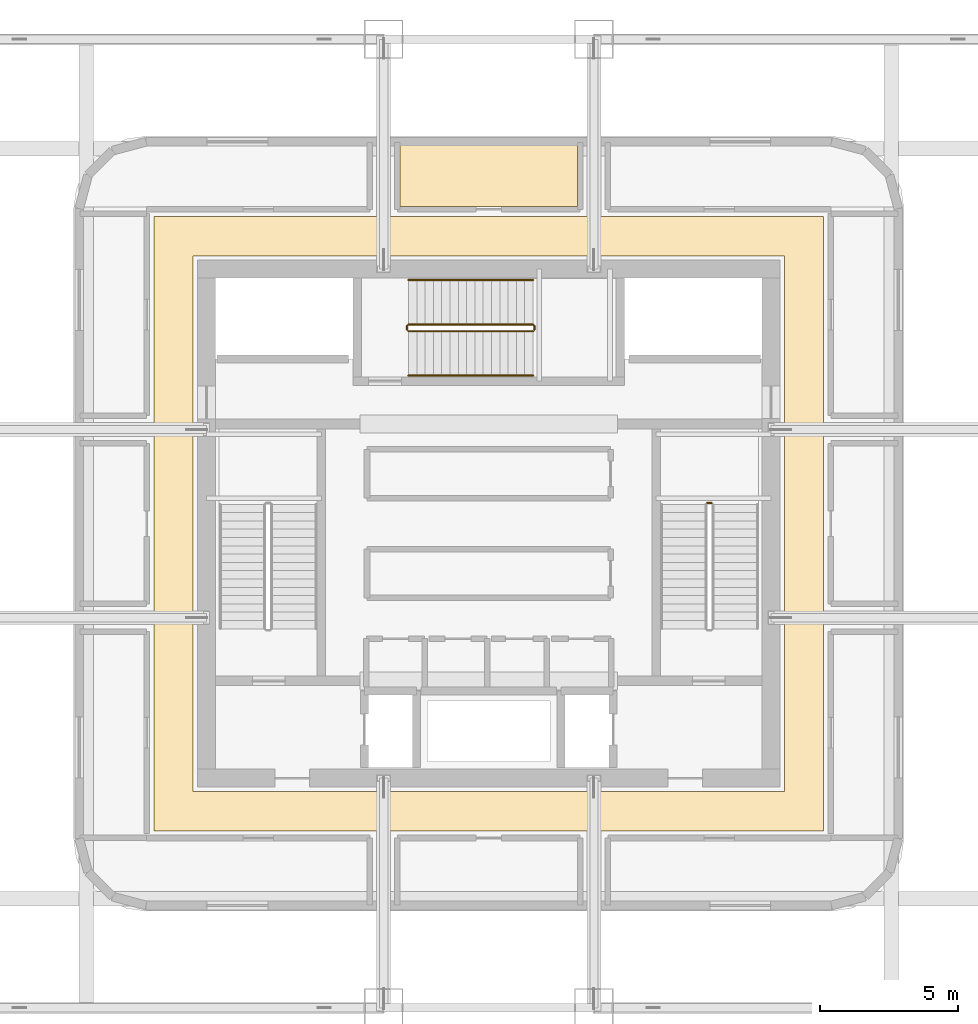
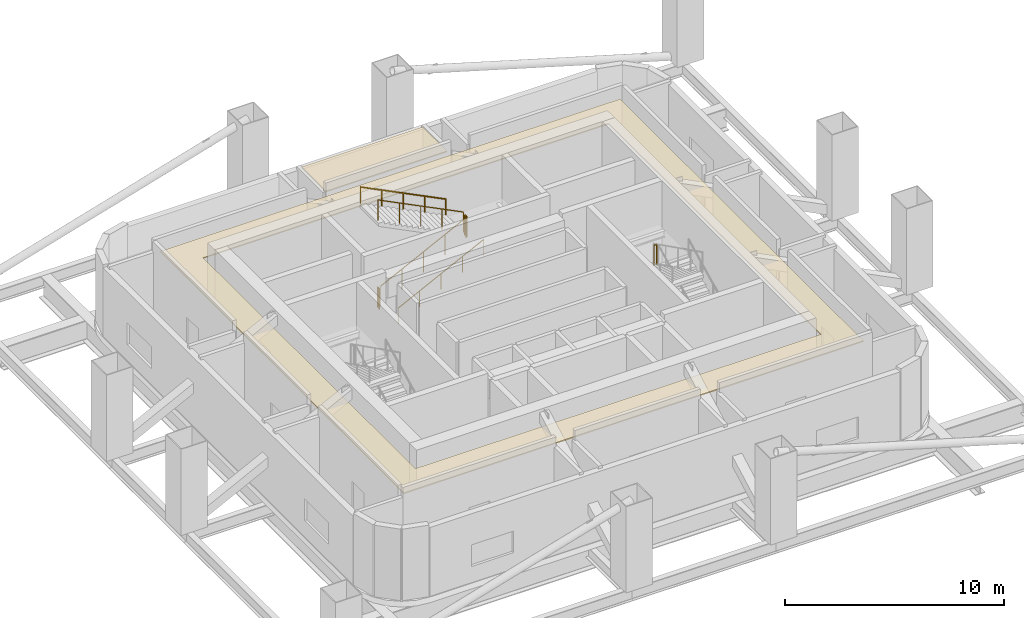
# One storey, part 8 of 9: 7 railings, 2 coverings.
"""IFC4 building model written with IfcOpenShell, lengths in metres."""

from ifc_helpers import new_model, si_unit, direction, frame, origin, origin_2d, place, context, subcontext, project, spatial, polyline, circle, outline, extrude, material, layer, layer_set, type_object, element, save


model = new_model("IFC4")

# Units and contexts
model_context = context("Model", 3, precision=1e-05, world=origin(), true_north=direction((0.0, 1.0)))
body_context = subcontext(model_context, "Body", "Model", "MODEL_VIEW")
ifc_project = project(units=[si_unit("LENGTHUNIT", "METRE"), si_unit("AREAUNIT", "SQUARE_METRE"), si_unit("VOLUMEUNIT", "CUBIC_METRE"), si_unit("PLANEANGLEUNIT", "RADIAN"), si_unit("MASSUNIT", "GRAM", prefix="KILO")], contexts=[model_context])

# Site, building, storey
site_placement = place(None, origin())
site = spatial("IfcSite", under=ifc_project, at=site_placement, CompositionType="ELEMENT")
building_placement = place(site_placement, origin())
building = spatial("IfcBuilding", under=site, at=building_placement, Name="Punatoya Terracotta Tower", CompositionType="ELEMENT")
storey_placement = place(building_placement, frame((0.0, 0.0, 130.199951171875)))
storey = spatial("IfcBuildingStorey", under=building, at=storey_placement, Name="L30", CompositionType="ELEMENT", Elevation=130.199951171875)

# Coverings
ifc_material_1 = material(Name="Acoustic Mineral Fibre Ceiling")
ifc_layer = layer(ifc_material_1, 0.06005859375)
ifc_layer_set = layer_set([ifc_layer], Name="Acoustic Mineral Fibre Ceiling")
covering_type = type_object("IfcCoveringType", Name="COV-CEIL-60", PredefinedType="CEILING", material=ifc_layer_set)
covering_1_placement = place(storey_placement, frame((0.0, 0.0, 3.8701171875)))
element("IfcCovering", 1, at=covering_1_placement, inside=storey, type_object=covering_type, Name="L30 Plant and Pressurized Refuge Ring Corridor Acoustic Ceiling", PredefinedType="CEILING", context=body_context, shape_type="SweptSolid", body=[
    extrude(outline(polyline([(-12.10009765625, 11.10009765625), (-12.10009765625, -11.10009765625), (12.10009765625, -11.10009765625), (12.10009765625, 11.10009765625), (-12.10009765625, 11.10009765625)]), holes=[polyline([(-10.679931640625, 9.679931640625), (10.679931640625, 9.679931640625), (10.679931640625, -9.679931640625), (-10.679931640625, -9.679931640625), (-10.679931640625, 9.679931640625)])]), origin(), (0.0, 0.0, 1.0), 0.059814453125),
])
covering_2_placement = place(storey_placement, frame((0.0, 0.0, 3.8701171875)))
element("IfcCovering", 2, at=covering_2_placement, inside=storey, type_object=covering_type, Name="L30 Designated Pressurized Refuge Area North (Central Bay) Acoustic Ceiling", PredefinedType="CEILING", context=body_context, shape_type="SweptSolid", body=[
    extrude(outline(polyline([(3.199951171875, 11.4599609375), (3.199951171875, 13.679931640625), (-3.199951171875, 13.679931640625), (-3.199951171875, 11.4599609375), (3.199951171875, 11.4599609375)])), origin(), (0.0, 0.0, 1.0), 0.059814453125),
])

# Railings
ifc_material_2 = material(Name="Steel S355", Category="steel")
railing_type_1 = type_object("IfcRailingType", Name="RLG-GRD-1150", PredefinedType="GUARDRAIL", material=ifc_material_2)
railing_1_placement = place(storey_placement, frame((8.050048828125, 0.75, 2.400146484375)))
element("IfcRailing", 3, at=railing_1_placement, inside=storey, type_object=railing_type_1, Name="L30 ST-2 stair guard 2", PredefinedType="GUARDRAIL", context=body_context, shape_type="SweptSolid", body=[
    extrude(circle(Radius=0.02392578125, at=origin_2d()), frame((0.0, 0.0, 1.1259765625), z_axis=(-1.0, 0.0, 0.0), x_axis=(0.0, -1.0, 0.0)), (0.0, 0.0, 1.0), 0.150146484375),
    extrude(circle(Radius=0.02099609375, at=origin_2d()), origin(), (0.0, 0.0, 1.0), 1.101806640625),
    extrude(circle(Radius=0.02099609375, at=origin_2d()), frame((-0.150146484375, 0.0, 0.0)), (0.0, 0.0, 1.0), 1.101806640625),
])
railing_2_placement = place(storey_placement, frame((-2.89990234375, 6.949951171875, 0.150146484375)))
element("IfcRailing", 4, at=railing_2_placement, inside=storey, type_object=railing_type_1, Name="L30 ST-3 stair guard 1", PredefinedType="GUARDRAIL", context=body_context, shape_type="SweptSolid", body=[
    extrude(circle(Radius=0.02392578125, at=origin_2d()), frame((0.0, 0.0, 1.1259765625), z_axis=(0.894427191, 0.0, 0.4472135955), x_axis=(0.0, 1.0, 0.0)), (0.0, 0.0, 1.0), 5.03125),
    extrude(circle(Radius=0.02099609375, at=origin_2d()), origin(), (0.0, 0.0, 1.0), 1.101806640625),
    extrude(circle(Radius=0.02099609375, at=origin_2d()), frame((1.125, 0.0, 0.5625)), (0.0, 0.0, 1.0), 1.101806640625),
    extrude(circle(Radius=0.02099609375, at=origin_2d()), frame((2.25, 0.0, 1.125)), (0.0, 0.0, 1.0), 1.101806640625),
    extrude(circle(Radius=0.02099609375, at=origin_2d()), frame((3.375, 0.0, 1.6875)), (0.0, 0.0, 1.0), 1.101806640625),
    extrude(circle(Radius=0.02099609375, at=origin_2d()), frame((4.5, 0.0, 2.25)), (0.0, 0.0, 1.0), 1.101806640625),
])
railing_3_placement = place(storey_placement, frame((1.64990234375, 7.0, 2.400146484375)))
element("IfcRailing", 5, at=railing_3_placement, inside=storey, type_object=railing_type_1, Name="L30 ST-3 stair guard 2", PredefinedType="GUARDRAIL", context=body_context, shape_type="SweptSolid", body=[
    extrude(circle(Radius=0.02392578125, at=origin_2d()), frame((0.0, 0.0, 1.1259765625), z_axis=(0.0, 1.0, 0.0), x_axis=(-1.0, 0.0, 0.0)), (0.0, 0.0, 1.0), 0.14990234375),
    extrude(circle(Radius=0.02099609375, at=origin_2d()), origin(), (0.0, 0.0, 1.0), 1.101806640625),
    extrude(circle(Radius=0.02099609375, at=origin_2d()), frame((0.0, 0.14990234375, 0.0)), (0.0, 0.0, 1.0), 1.101806640625),
])
railing_4_placement = place(storey_placement, frame((1.60009765625, 7.199951171875, 2.550048828125)))
element("IfcRailing", 6, at=railing_4_placement, inside=storey, type_object=railing_type_1, Name="L30 ST-3 stair guard 3", PredefinedType="GUARDRAIL", context=body_context, shape_type="SweptSolid", body=[
    extrude(circle(Radius=0.02392578125, at=origin_2d()), frame((0.0, 0.0, 1.1259765625), z_axis=(-0.894427191, 0.0, 0.4472135955), x_axis=(0.0, -1.0, 0.0)), (0.0, 0.0, 1.0), 5.03125),
    extrude(circle(Radius=0.02099609375, at=origin_2d()), origin(), (0.0, 0.0, 1.0), 1.101806640625),
    extrude(circle(Radius=0.02099609375, at=origin_2d()), frame((-1.125, 0.0, 0.5625)), (0.0, 0.0, 1.0), 1.101806640625),
    extrude(circle(Radius=0.02099609375, at=origin_2d()), frame((-2.25, 0.0, 1.125)), (0.0, 0.0, 1.0), 1.101806640625),
    extrude(circle(Radius=0.02099609375, at=origin_2d()), frame((-3.375, 0.0, 1.6875)), (0.0, 0.0, 1.0), 1.101806640625),
    extrude(circle(Radius=0.02099609375, at=origin_2d()), frame((-4.5, 0.0, 2.25)), (0.0, 0.0, 1.0), 1.101806640625),
])
railing_5_placement = place(storey_placement, frame((-2.949951171875, 7.0, 0.0)))
element("IfcRailing", 7, at=railing_5_placement, inside=storey, type_object=railing_type_1, Name="L30 ST-3 stair guard 4", PredefinedType="GUARDRAIL", context=body_context, shape_type="SweptSolid", body=[
    extrude(circle(Radius=0.02392578125, at=origin_2d()), frame((0.0, 0.0, 1.1259765625), z_axis=(0.0, 1.0, 0.0), x_axis=(-1.0, 0.0, 0.0)), (0.0, 0.0, 1.0), 0.14990234375),
    extrude(circle(Radius=0.02099609375, at=origin_2d()), origin(), (0.0, 0.0, 1.0), 1.101806640625),
    extrude(circle(Radius=0.02099609375, at=origin_2d()), frame((0.0, 0.14990234375, 0.0)), (0.0, 0.0, 1.0), 1.101806640625),
])
railing_type_2 = type_object("IfcRailingType", Name="RLG-HND-900", PredefinedType="HANDRAIL", material=ifc_material_2)
railing_6_placement = place(storey_placement, frame((-2.89990234375, 5.35009765625, 0.150146484375)))
element("IfcRailing", 8, at=railing_6_placement, inside=storey, type_object=railing_type_2, Name="L30 ST-3 stair handrail 1", PredefinedType="HANDRAIL", context=body_context, shape_type="SweptSolid", body=[
    extrude(circle(Radius=0.02392578125, at=origin_2d()), frame((0.0, 0.0, 0.8759765625), z_axis=(0.894427191, 0.0, 0.4472135955), x_axis=(0.0, 1.0, 0.0)), (0.0, 0.0, 1.0), 5.03125),
    extrude(circle(Radius=0.02099609375, at=origin_2d()), origin(), (0.0, 0.0, 1.0), 0.851806640625),
    extrude(circle(Radius=0.02099609375, at=origin_2d()), frame((1.125, 0.0, 0.5625)), (0.0, 0.0, 1.0), 0.851806640625),
    extrude(circle(Radius=0.02099609375, at=origin_2d()), frame((2.25, 0.0, 1.125)), (0.0, 0.0, 1.0), 0.851806640625),
    extrude(circle(Radius=0.02099609375, at=origin_2d()), frame((3.375, 0.0, 1.6875)), (0.0, 0.0, 1.0), 0.851806640625),
    extrude(circle(Radius=0.02099609375, at=origin_2d()), frame((4.5, 0.0, 2.25)), (0.0, 0.0, 1.0), 0.851806640625),
])
railing_7_placement = place(storey_placement, frame((1.60009765625, 8.800048828125, 2.550048828125)))
element("IfcRailing", 9, at=railing_7_placement, inside=storey, type_object=railing_type_2, Name="L30 ST-3 stair handrail 2", PredefinedType="HANDRAIL", context=body_context, shape_type="SweptSolid", body=[
    extrude(circle(Radius=0.02392578125, at=origin_2d()), frame((0.0, 0.0, 0.8759765625), z_axis=(-0.894427191, 0.0, 0.4472135955), x_axis=(0.0, -1.0, 0.0)), (0.0, 0.0, 1.0), 5.03125),
    extrude(circle(Radius=0.02099609375, at=origin_2d()), origin(), (0.0, 0.0, 1.0), 0.851806640625),
    extrude(circle(Radius=0.02099609375, at=origin_2d()), frame((-1.125, 0.0, 0.5625)), (0.0, 0.0, 1.0), 0.851806640625),
    extrude(circle(Radius=0.02099609375, at=origin_2d()), frame((-2.25, 0.0, 1.125)), (0.0, 0.0, 1.0), 0.851806640625),
    extrude(circle(Radius=0.02099609375, at=origin_2d()), frame((-3.375, 0.0, 1.6875)), (0.0, 0.0, 1.0), 0.851806640625),
    extrude(circle(Radius=0.02099609375, at=origin_2d()), frame((-4.5, 0.0, 2.25)), (0.0, 0.0, 1.0), 0.851806640625),
])

save(model, "model.ifc")
